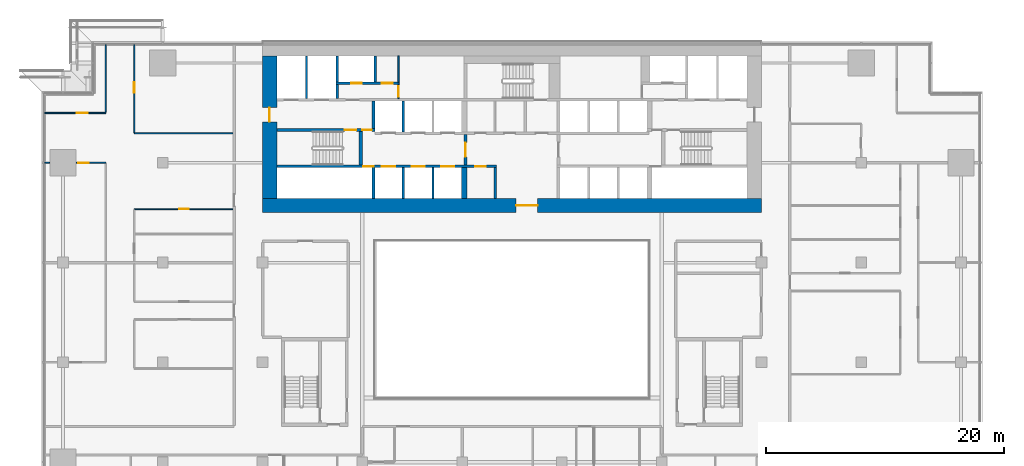
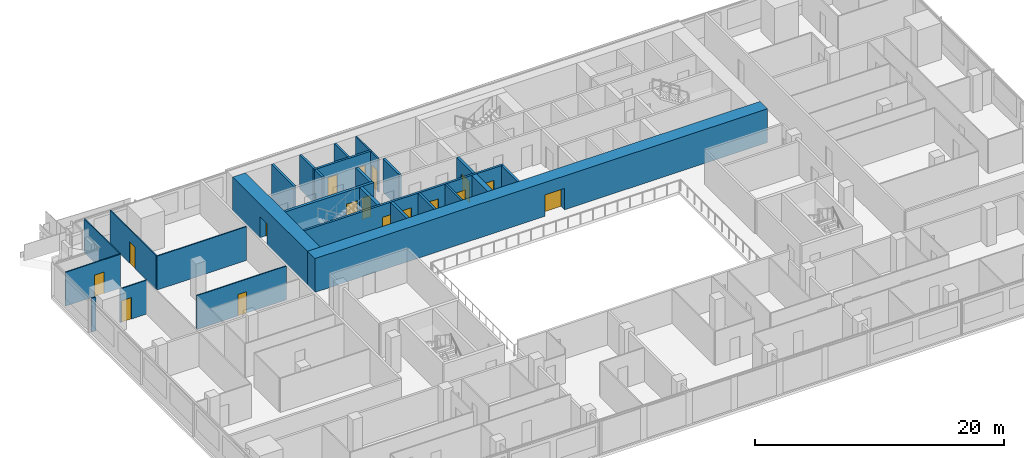
# One storey, part 21 of 30: 27 walls, 17 doors, 17 openings.
"""IFC4 building model written with IfcOpenShell, lengths in metres."""

from ifc_helpers import new_model, si_unit, direction, frame, frame_2d, origin, place, context, subcontext, project, spatial, rectangle, extrude, material, layer, layer_set, type_object, element, fill, save


model = new_model("IFC4")

# Units and contexts
model_context = context("Model", 3, precision=1e-05, world=origin(), true_north=direction((0.0, 1.0)))
body_context = subcontext(model_context, "Body", "Model", "MODEL_VIEW")
ifc_project = project(units=[si_unit("LENGTHUNIT", "METRE"), si_unit("AREAUNIT", "SQUARE_METRE"), si_unit("VOLUMEUNIT", "CUBIC_METRE"), si_unit("PLANEANGLEUNIT", "RADIAN"), si_unit("MASSUNIT", "GRAM", prefix="KILO")], contexts=[model_context])

# Site, building, storey
site_placement = place(None, origin())
site = spatial("IfcSite", under=ifc_project, at=site_placement, CompositionType="ELEMENT")
building_placement = place(site_placement, origin())
building = spatial("IfcBuilding", under=site, at=building_placement, Name="Saffron Gate Tower", CompositionType="ELEMENT")
storey_placement = place(building_placement, frame((0.0, 0.0, 69.60009765625)))
storey = spatial("IfcBuildingStorey", under=building, at=storey_placement, Name="L16", CompositionType="ELEMENT", Elevation=69.60009765625)

# Wall, opening, door
ifc_material_1 = material(Name="Concrete C70", Category="concrete")
ifc_layer_1 = layer(ifc_material_1, 1.199951171875)
ifc_layer_set_1 = layer_set([ifc_layer_1], Name="CW1 RC core wall 1200 C70")
wall_type_1 = type_object("IfcWallType", Name="CW1 RC core wall 1200 C70", PredefinedType="SOLIDWALL", material=ifc_layer_set_1)
wall_1_placement = place(storey_placement, frame((66.60009765625, 61.800048828125, 0.0), z_axis=(0.0, 0.0, 1.0), x_axis=(1.0, 0.0, 0.0)))
wall_1 = element("IfcWall", 1, at=wall_1_placement, inside=storey, type_object=wall_type_1, Name="Wall CW1-L16-1", PredefinedType="SOLIDWALL", context=body_context, shape_type="SweptSolid", body=[
    extrude(rectangle(XDim=42.0, YDim=1.199951171875, at=frame_2d((21.0, 0.0))), origin(), (0.0, 0.0, 1.0), 3.31982421875),
])
opening_1_placement = place(wall_1_placement, frame((21.35009765625, 0.0, 0.0)))
opening_1 = element("IfcOpeningElement", 2, at=opening_1_placement, cuts=wall_1, Name="Opening CR-09", PredefinedType="OPENING", context=body_context, shape_type="SweptSolid", body=[
    extrude(rectangle(XDim=1.800048828125, YDim=2.10009765625, at=frame_2d((0.89990234375, 1.050048828125))), frame((0.0, 0.60986328125, 0.0), z_axis=(0.0, -1.0, 0.0), x_axis=(1.0, 0.0, 0.0)), (0.0, 0.0, 1.0), 1.219970703125),
])
ifc_material_2 = material(Name="Steel fire door set", Category="steel")
door_type_1 = type_object("IfcDoorType", Name="CD1 Core entrance door 1800x2100 EI 120", OperationType="NOTDEFINED", PredefinedType="DOOR", material=ifc_material_2)
door_1_placement = place(opening_1_placement, origin())
door_1 = element("IfcDoor", 3, at=door_1_placement, inside=storey, type_object=door_type_1, Name="DOOR CR-09", OperationType="DOUBLE_DOOR_SINGLE_SWING", OverallHeight=2.10009765625, OverallWidth=1.800048828125, PredefinedType="DOOR", context=body_context, shape_type="SweptSolid", body=[
    extrude(rectangle(XDim=1.800048828125, YDim=2.10009765625, at=frame_2d((0.89990234375, 1.050048828125))), frame((0.0, 0.02490234375, 0.0), z_axis=(0.0, -1.0, 0.0), x_axis=(1.0, 0.0, 0.0)), (0.0, 0.0, 1.0), 0.050048828125),
])
fill(opening_1, door_1)

wall_2_placement = place(storey_placement, frame((67.199951171875, 62.39990234375, 0.0), z_axis=(0.0, 0.0, 1.0), x_axis=(0.0, 1.0, 0.0)))
wall_2 = element("IfcWall", 4, at=wall_2_placement, inside=storey, type_object=wall_type_1, Name="Wall CW1-L16-3", PredefinedType="SOLIDWALL", context=body_context, shape_type="SweptSolid", body=[
    extrude(rectangle(XDim=12.0, YDim=1.199951171875, at=frame_2d((6.0, 0.0))), origin(), (0.0, 0.0, 1.0), 3.31982421875),
])
opening_2_placement = place(wall_2_placement, frame((6.449951171875, 0.0, 0.0)))
opening_2 = element("IfcOpeningElement", 5, at=opening_2_placement, cuts=wall_2, Name="Opening CR-10", PredefinedType="OPENING", context=body_context, shape_type="SweptSolid", body=[
    extrude(rectangle(XDim=1.199951171875, YDim=2.10009765625, at=frame_2d((0.60009765625, 1.050048828125))), frame((0.0, 0.60986328125, 0.0), z_axis=(0.0, -1.0, 0.0), x_axis=(1.0, 0.0, 0.0)), (0.0, 0.0, 1.0), 1.219970703125),
])
door_type_2 = type_object("IfcDoorType", Name="CD7 Core entrance door 1200x2100 EI 120", OperationType="NOTDEFINED", PredefinedType="DOOR", material=ifc_material_2)
door_2_placement = place(opening_2_placement, origin())
door_2 = element("IfcDoor", 6, at=door_2_placement, inside=storey, type_object=door_type_2, Name="DOOR CR-10", OperationType="SINGLE_SWING_LEFT", OverallHeight=2.10009765625, OverallWidth=1.199951171875, PredefinedType="DOOR", context=body_context, shape_type="SweptSolid", body=[
    extrude(rectangle(XDim=1.199951171875, YDim=2.10009765625, at=frame_2d((0.60009765625, 1.050048828125))), frame((0.0, 0.02490234375, 0.0), z_axis=(0.0, -1.0, 0.0), x_axis=(1.0, 0.0, 0.0)), (0.0, 0.0, 1.0), 0.050048828125),
])
fill(opening_2, door_2)

# Walls
ifc_material_3 = material(Name="Gypsum board partition on steel studs", Category="steel")
ifc_layer_2 = layer(ifc_material_3, 0.199951171875)
ifc_layer_set_2 = layer_set([ifc_layer_2], Name="CW10 Core partition 200")
wall_type_2 = type_object("IfcWallType", Name="CW10 Core partition 200", PredefinedType="PARTITIONING", material=ifc_layer_set_2)
wall_3_placement = place(storey_placement, frame((86.199951171875, 62.39990234375, 0.0), z_axis=(0.0, 0.0, 1.0), x_axis=(0.0, 1.0, 0.0)))
element("IfcWall", 7, at=wall_3_placement, inside=storey, type_object=wall_type_2, Name="Wall CW10-L16-9", PredefinedType="PARTITIONING", context=body_context, shape_type="SweptSolid", body=[
    extrude(rectangle(XDim=2.60009765625, YDim=0.199951171875, at=frame_2d((1.300048828125, 0.0))), origin(), (0.0, 0.0, 1.0), 3.31982421875),
])
ifc_layer_3 = layer(ifc_material_1, 0.25)
ifc_layer_set_3 = layer_set([ifc_layer_3], Name="CW2 RC core wall 250 C70")
wall_type_3 = type_object("IfcWallType", Name="CW2 RC core wall 250 C70", PredefinedType="SOLIDWALL", material=ifc_layer_set_3)
wall_4_placement = place(storey_placement, frame((75.925048828125, 62.39990234375, 0.0), z_axis=(0.0, 0.0, 1.0), x_axis=(0.0, 1.0, 0.0)))
element("IfcWall", 8, at=wall_4_placement, inside=storey, type_object=wall_type_3, Name="Wall CW2-L16-5", PredefinedType="SOLIDWALL", context=body_context, shape_type="SweptSolid", body=[
    extrude(rectangle(XDim=2.60009765625, YDim=0.25, at=frame_2d((1.300048828125, 0.0))), origin(), (0.0, 0.0, 1.0), 3.31982421875),
])

# Wall, opening, door
wall_5_placement = place(storey_placement, frame((83.675048828125, 65.199951171875, 0.0), z_axis=(0.0, 0.0, 1.0), x_axis=(0.0, 1.0, 0.0)))
wall_5 = element("IfcWall", 9, at=wall_5_placement, inside=storey, type_object=wall_type_3, Name="Wall CW2-L16-17", PredefinedType="SOLIDWALL", context=body_context, shape_type="SweptSolid", body=[
    extrude(rectangle(XDim=2.60009765625, YDim=0.25, at=frame_2d((1.300048828125, 0.0))), origin(), (0.0, 0.0, 1.0), 3.31982421875),
])
opening_3_placement = place(wall_5_placement, frame((0.699951171875, 0.0, 0.0)))
opening_3 = element("IfcOpeningElement", 10, at=opening_3_placement, cuts=wall_5, Name="Opening CR-07", PredefinedType="OPENING", context=body_context, shape_type="SweptSolid", body=[
    extrude(rectangle(XDim=1.199951171875, YDim=2.10009765625, at=frame_2d((0.60009765625, 1.050048828125))), frame((0.0, 0.135009765625, 0.0), z_axis=(0.0, -1.0, 0.0), x_axis=(1.0, 0.0, 0.0)), (0.0, 0.0, 1.0), 0.27001953125),
])
door_type_3 = type_object("IfcDoorType", Name="CD3 Lobby door 1200x2100 EI 120", OperationType="NOTDEFINED", PredefinedType="DOOR", material=ifc_material_2)
door_3_placement = place(opening_3_placement, origin())
door_3 = element("IfcDoor", 11, at=door_3_placement, inside=storey, type_object=door_type_3, Name="DOOR CR-07", OperationType="SINGLE_SWING_RIGHT", OverallHeight=2.10009765625, OverallWidth=1.199951171875, PredefinedType="DOOR", context=body_context, shape_type="SweptSolid", body=[
    extrude(rectangle(XDim=1.199951171875, YDim=2.10009765625, at=frame_2d((0.60009765625, 1.050048828125))), frame((0.0, 0.02490234375, 0.0), z_axis=(0.0, -1.0, 0.0), x_axis=(1.0, 0.0, 0.0)), (0.0, 0.0, 1.0), 0.050048828125),
])
fill(opening_3, door_3)

# Wall, openings, doors
wall_6_placement = place(storey_placement, frame((67.800048828125, 68.175048828125, 0.0), z_axis=(0.0, 0.0, 1.0), x_axis=(1.0, 0.0, 0.0)))
wall_6 = element("IfcWall", 12, at=wall_6_placement, inside=storey, type_object=wall_type_3, Name="Wall CW2-L16-30", PredefinedType="SOLIDWALL", context=body_context, shape_type="SweptSolid", body=[
    extrude(rectangle(XDim=8.25, YDim=0.25, at=frame_2d((4.125, 0.0))), origin(), (0.0, 0.0, 1.0), 3.31982421875),
])
opening_4_placement = place(wall_6_placement, frame((5.699951171875, 0.0, 0.0)))
opening_4 = element("IfcOpeningElement", 13, at=opening_4_placement, cuts=wall_6, Name="Opening CR-15", PredefinedType="OPENING", context=body_context, shape_type="SweptSolid", body=[
    extrude(rectangle(XDim=1.0, YDim=2.10009765625, at=frame_2d((0.5, 1.050048828125))), frame((0.0, 0.135009765625, 0.0), z_axis=(0.0, -1.0, 0.0), x_axis=(1.0, 0.0, 0.0)), (0.0, 0.0, 1.0), 0.27001953125),
])
opening_5_placement = place(wall_6_placement, frame((7.199951171875, 0.0, 0.0)))
opening_5 = element("IfcOpeningElement", 14, at=opening_5_placement, cuts=wall_6, Name="Opening CR-06", PredefinedType="OPENING", context=body_context, shape_type="SweptSolid", body=[
    extrude(rectangle(XDim=0.800048828125, YDim=2.10009765625, at=frame_2d((0.39990234375, 1.050048828125))), frame((0.0, 0.135009765625, 0.0), z_axis=(0.0, -1.0, 0.0), x_axis=(1.0, 0.0, 0.0)), (0.0, 0.0, 1.0), 0.27001953125),
])
door_type_4 = type_object("IfcDoorType", Name="CD5 Stair door 1000x2100 EI 120", OperationType="NOTDEFINED", PredefinedType="DOOR", material=ifc_material_2)
door_4_placement = place(opening_4_placement, origin())
door_4 = element("IfcDoor", 15, at=door_4_placement, inside=storey, type_object=door_type_4, Name="DOOR CR-15", OperationType="SINGLE_SWING_RIGHT", OverallHeight=2.10009765625, OverallWidth=1.0, PredefinedType="DOOR", context=body_context, shape_type="SweptSolid", body=[
    extrude(rectangle(XDim=1.0, YDim=2.10009765625, at=frame_2d((0.5, 1.050048828125))), frame((0.0, 0.02490234375, 0.0), z_axis=(0.0, -1.0, 0.0), x_axis=(1.0, 0.0, 0.0)), (0.0, 0.0, 1.0), 0.050048828125),
])
fill(opening_4, door_4)
door_type_5 = type_object("IfcDoorType", Name="CD6 Lobby door 800x2100 EI 120", OperationType="NOTDEFINED", PredefinedType="DOOR", material=ifc_material_2)
door_5_placement = place(opening_5_placement, origin())
door_5 = element("IfcDoor", 16, at=door_5_placement, inside=storey, type_object=door_type_5, Name="DOOR CR-06", OperationType="SINGLE_SWING_LEFT", OverallHeight=2.10009765625, OverallWidth=0.800048828125, PredefinedType="DOOR", context=body_context, shape_type="SweptSolid", body=[
    extrude(rectangle(XDim=0.800048828125, YDim=2.10009765625, at=frame_2d((0.39990234375, 1.050048828125))), frame((0.0, 0.02490234375, 0.0), z_axis=(0.0, -1.0, 0.0), x_axis=(1.0, 0.0, 0.0)), (0.0, 0.0, 1.0), 0.050048828125),
])
fill(opening_5, door_5)

# Walls
wall_7_placement = place(storey_placement, frame((75.925048828125, 68.300048828125, 0.0), z_axis=(0.0, 0.0, 1.0), x_axis=(0.0, 1.0, 0.0)))
element("IfcWall", 17, at=wall_7_placement, inside=storey, type_object=wall_type_3, Name="Wall CW2-L16-32", PredefinedType="SOLIDWALL", context=body_context, shape_type="SweptSolid", body=[
    extrude(rectangle(XDim=2.300048828125, YDim=0.25, at=frame_2d((1.14990234375, 0.0))), origin(), (0.0, 0.0, 1.0), 3.31982421875),
])
ifc_layer_4 = layer(ifc_material_1, 0.199951171875)
ifc_layer_set_4 = layer_set([ifc_layer_4], Name="CW3 RC core wall 200 C70")
wall_type_4 = type_object("IfcWallType", Name="CW3 RC core wall 200 C70", PredefinedType="SOLIDWALL", material=ifc_layer_set_4)
for number, where, z_axis, x_axis, name in (
    (18, (78.449951171875, 62.39990234375, 0.0), (0.0, 0.0, 1.0), (0.0, 1.0, 0.0), "Wall CW3-L16-6"),
    (19, (80.949951171875, 62.39990234375, 0.0), (0.0, 0.0, 1.0), (0.0, 1.0, 0.0), "Wall CW3-L16-7"),
):
    element("IfcWall", number, at=place(storey_placement, frame(where, z_axis=z_axis, x_axis=x_axis)), inside=storey, type_object=wall_type_4, Name=name, PredefinedType="SOLIDWALL", context=body_context, shape_type="SweptSolid", body=[
        extrude(rectangle(XDim=2.60009765625, YDim=0.199951171875, at=frame_2d((1.300048828125, 0.0))), origin(), (0.0, 0.0, 1.0), 3.31982421875),
    ])

# Wall, openings, doors
wall_8_placement = place(storey_placement, frame((67.800048828125, 65.10009765625, 0.0), z_axis=(0.0, 0.0, 1.0), x_axis=(1.0, 0.0, 0.0)))
wall_8 = element("IfcWall", 20, at=wall_8_placement, inside=storey, type_object=wall_type_4, Name="Wall CW3-L16-14", PredefinedType="SOLIDWALL", context=body_context, shape_type="SweptSolid", body=[
    extrude(rectangle(XDim=18.5, YDim=0.199951171875, at=frame_2d((9.25, 0.0))), origin(), (0.0, 0.0, 1.0), 3.31982421875),
])
opening_6_placement = place(wall_8_placement, frame((7.27001953125, 0.0, 0.0)))
opening_6 = element("IfcOpeningElement", 21, at=opening_6_placement, cuts=wall_8, Name="Opening CR-49", PredefinedType="OPENING", context=body_context, shape_type="SweptSolid", body=[
    extrude(rectangle(XDim=0.89990234375, YDim=2.10009765625, at=frame_2d((0.449951171875, 1.050048828125))), frame((0.0, 0.10986328125, 0.0), z_axis=(0.0, -1.0, 0.0), x_axis=(1.0, 0.0, 0.0)), (0.0, 0.0, 1.0), 0.219970703125),
])
opening_7_placement = place(wall_8_placement, frame((8.85009765625, 0.0, 0.0)))
opening_7 = element("IfcOpeningElement", 22, at=opening_7_placement, cuts=wall_8, Name="Opening LD-LR1", PredefinedType="OPENING", context=body_context, shape_type="SweptSolid", body=[
    extrude(rectangle(XDim=1.10009765625, YDim=2.10009765625, at=frame_2d((0.550048828125, 1.050048828125))), frame((0.0, 0.10986328125, 0.0), z_axis=(0.0, -1.0, 0.0), x_axis=(1.0, 0.0, 0.0)), (0.0, 0.0, 1.0), 0.219970703125),
])
opening_8_placement = place(wall_8_placement, frame((11.35009765625, 0.0, 0.0)))
opening_8 = element("IfcOpeningElement", 23, at=opening_8_placement, cuts=wall_8, Name="Opening LD-LR2", PredefinedType="OPENING", context=body_context, shape_type="SweptSolid", body=[
    extrude(rectangle(XDim=1.10009765625, YDim=2.10009765625, at=frame_2d((0.550048828125, 1.050048828125))), frame((0.0, 0.10986328125, 0.0), z_axis=(0.0, -1.0, 0.0), x_axis=(1.0, 0.0, 0.0)), (0.0, 0.0, 1.0), 0.219970703125),
])
opening_9_placement = place(wall_8_placement, frame((13.85009765625, 0.0, 0.0)))
opening_9 = element("IfcOpeningElement", 24, at=opening_9_placement, cuts=wall_8, Name="Opening LD-LR3", PredefinedType="OPENING", context=body_context, shape_type="SweptSolid", body=[
    extrude(rectangle(XDim=1.10009765625, YDim=2.10009765625, at=frame_2d((0.550048828125, 1.050048828125))), frame((0.0, 0.10986328125, 0.0), z_axis=(0.0, -1.0, 0.0), x_axis=(1.0, 0.0, 0.0)), (0.0, 0.0, 1.0), 0.219970703125),
])
opening_10_placement = place(wall_8_placement, frame((16.699951171875, 0.0, 0.0)))
opening_10 = element("IfcOpeningElement", 25, at=opening_10_placement, cuts=wall_8, Name="Opening CR-69", PredefinedType="OPENING", context=body_context, shape_type="SweptSolid", body=[
    extrude(rectangle(XDim=0.89990234375, YDim=2.10009765625, at=frame_2d((0.449951171875, 1.050048828125))), frame((0.0, 0.10986328125, 0.0), z_axis=(0.0, -1.0, 0.0), x_axis=(1.0, 0.0, 0.0)), (0.0, 0.0, 1.0), 0.219970703125),
])
door_type_6 = type_object("IfcDoorType", Name="CD2 Riser door 900x2100 EI 60", OperationType="NOTDEFINED", PredefinedType="DOOR", material=ifc_material_2)
door_6_placement = place(opening_6_placement, origin())
door_6 = element("IfcDoor", 26, at=door_6_placement, inside=storey, type_object=door_type_6, Name="DOOR CR-49", OperationType="SINGLE_SWING_LEFT", OverallHeight=2.10009765625, OverallWidth=0.89990234375, PredefinedType="DOOR", context=body_context, shape_type="SweptSolid", body=[
    extrude(rectangle(XDim=0.89990234375, YDim=2.10009765625, at=frame_2d((0.449951171875, 1.050048828125))), frame((0.0, 0.02490234375, 0.0), z_axis=(0.0, -1.0, 0.0), x_axis=(1.0, 0.0, 0.0)), (0.0, 0.0, 1.0), 0.050048828125),
])
fill(opening_6, door_6)
door_type_7 = type_object("IfcDoorType", Name="CD9 Room door 900x2100 EI 60", OperationType="NOTDEFINED", PredefinedType="DOOR", material=ifc_material_2)
door_7_placement = place(opening_10_placement, origin())
door_7 = element("IfcDoor", 27, at=door_7_placement, inside=storey, type_object=door_type_7, Name="DOOR CR-69", OperationType="SINGLE_SWING_RIGHT", OverallHeight=2.10009765625, OverallWidth=0.89990234375, PredefinedType="DOOR", context=body_context, shape_type="SweptSolid", body=[
    extrude(rectangle(XDim=0.89990234375, YDim=2.10009765625, at=frame_2d((0.449951171875, 1.050048828125))), frame((0.0, 0.02490234375, 0.0), z_axis=(0.0, -1.0, 0.0), x_axis=(1.0, 0.0, 0.0)), (0.0, 0.0, 1.0), 0.050048828125),
])
fill(opening_10, door_7)
ifc_material_4 = material(Name="Stainless steel landing door", Category="steel")
door_type_8 = type_object("IfcDoorType", Name="LD Lift landing door 1100x2100 EI 120", OperationType="SLIDING_TO_LEFT", PredefinedType="DOOR", material=ifc_material_4)
door_8_placement = place(opening_7_placement, origin())
door_8 = element("IfcDoor", 28, at=door_8_placement, inside=storey, type_object=door_type_8, Name="LANDING DOOR LD-LR1", OperationType="SLIDING_TO_LEFT", OverallHeight=2.10009765625, OverallWidth=1.10009765625, PredefinedType="DOOR", context=body_context, shape_type="SweptSolid", body=[
    extrude(rectangle(XDim=1.10009765625, YDim=2.10009765625, at=frame_2d((0.550048828125, 1.050048828125))), frame((0.0, 0.02490234375, 0.0), z_axis=(0.0, -1.0, 0.0), x_axis=(1.0, 0.0, 0.0)), (0.0, 0.0, 1.0), 0.050048828125),
])
fill(opening_7, door_8)
door_9_placement = place(opening_8_placement, origin())
door_9 = element("IfcDoor", 29, at=door_9_placement, inside=storey, type_object=door_type_8, Name="LANDING DOOR LD-LR2", OperationType="SLIDING_TO_LEFT", OverallHeight=2.10009765625, OverallWidth=1.10009765625, PredefinedType="DOOR", context=body_context, shape_type="SweptSolid", body=[
    extrude(rectangle(XDim=1.10009765625, YDim=2.10009765625, at=frame_2d((0.550048828125, 1.050048828125))), frame((0.0, 0.02490234375, 0.0), z_axis=(0.0, -1.0, 0.0), x_axis=(1.0, 0.0, 0.0)), (0.0, 0.0, 1.0), 0.050048828125),
])
fill(opening_8, door_9)
door_10_placement = place(opening_9_placement, origin())
door_10 = element("IfcDoor", 30, at=door_10_placement, inside=storey, type_object=door_type_8, Name="LANDING DOOR LD-LR3", OperationType="SLIDING_TO_LEFT", OverallHeight=2.10009765625, OverallWidth=1.10009765625, PredefinedType="DOOR", context=body_context, shape_type="SweptSolid", body=[
    extrude(rectangle(XDim=1.10009765625, YDim=2.10009765625, at=frame_2d((0.550048828125, 1.050048828125))), frame((0.0, 0.02490234375, 0.0), z_axis=(0.0, -1.0, 0.0), x_axis=(1.0, 0.0, 0.0)), (0.0, 0.0, 1.0), 0.050048828125),
])
fill(opening_9, door_10)

# Walls
wall_9_placement = place(storey_placement, frame((78.449951171875, 68.0, 0.0), z_axis=(0.0, 0.0, 1.0), x_axis=(0.0, 1.0, 0.0)))
element("IfcWall", 31, at=wall_9_placement, inside=storey, type_object=wall_type_4, Name="Wall CW3-L16-21", PredefinedType="SOLIDWALL", context=body_context, shape_type="SweptSolid", body=[
    extrude(rectangle(XDim=2.60009765625, YDim=0.199951171875, at=frame_2d((1.300048828125, 0.0))), origin(), (0.0, 0.0, 1.0), 3.31982421875),
])
wall_10_placement = place(storey_placement, frame((70.300048828125, 70.800048828125, 0.0), z_axis=(0.0, 0.0, 1.0), x_axis=(0.0, 1.0, 0.0)))
element("IfcWall", 32, at=wall_10_placement, inside=storey, type_object=wall_type_4, Name="Wall CW3-L16-35", PredefinedType="SOLIDWALL", context=body_context, shape_type="SweptSolid", body=[
    extrude(rectangle(XDim=3.599853515625, YDim=0.199951171875, at=frame_2d((1.7998046875, 0.0))), origin(), (0.0, 0.0, 1.0), 3.31982421875),
])
wall_11_placement = place(storey_placement, frame((72.89990234375, 70.800048828125, 0.0), z_axis=(0.0, 0.0, 1.0), x_axis=(0.0, 1.0, 0.0)))
element("IfcWall", 33, at=wall_11_placement, inside=storey, type_object=wall_type_4, Name="Wall CW3-L16-36", PredefinedType="SOLIDWALL", context=body_context, shape_type="SweptSolid", body=[
    extrude(rectangle(XDim=1.199951171875, YDim=0.199951171875, at=frame_2d((0.60009765625, 0.0))), origin(), (0.0, 0.0, 1.0), 3.31982421875),
])

# Wall, openings, doors
wall_12_placement = place(storey_placement, frame((72.800048828125, 72.10009765625, 0.0), z_axis=(0.0, 0.0, 1.0), x_axis=(1.0, 0.0, 0.0)))
wall_12 = element("IfcWall", 34, at=wall_12_placement, inside=storey, type_object=wall_type_4, Name="Wall CW3-L16-43", PredefinedType="SOLIDWALL", context=body_context, shape_type="SweptSolid", body=[
    extrude(rectangle(XDim=5.320068359375, YDim=0.199951171875, at=frame_2d((2.66015625, 0.0))), origin(), (0.0, 0.0, 1.0), 3.31982421875),
])
opening_11_placement = place(wall_12_placement, frame((1.25, 0.0, 0.0)))
opening_11 = element("IfcOpeningElement", 35, at=opening_11_placement, cuts=wall_12, Name="Opening CR-71", PredefinedType="OPENING", context=body_context, shape_type="SweptSolid", body=[
    extrude(rectangle(XDim=0.89990234375, YDim=2.10009765625, at=frame_2d((0.449951171875, 1.050048828125))), frame((0.0, 0.10986328125, 0.0), z_axis=(0.0, -1.0, 0.0), x_axis=(1.0, 0.0, 0.0)), (0.0, 0.0, 1.0), 0.219970703125),
])
opening_12_placement = place(wall_12_placement, frame((3.85009765625, 0.0, 0.0)))
opening_12 = element("IfcOpeningElement", 36, at=opening_12_placement, cuts=wall_12, Name="Opening CR-55", PredefinedType="OPENING", context=body_context, shape_type="SweptSolid", body=[
    extrude(rectangle(XDim=0.89990234375, YDim=2.10009765625, at=frame_2d((0.449951171875, 1.050048828125))), frame((0.0, 0.10986328125, 0.0), z_axis=(0.0, -1.0, 0.0), x_axis=(1.0, 0.0, 0.0)), (0.0, 0.0, 1.0), 0.219970703125),
])
door_11_placement = place(opening_11_placement, origin())
door_11 = element("IfcDoor", 37, at=door_11_placement, inside=storey, type_object=door_type_6, Name="DOOR CR-71", OperationType="SINGLE_SWING_LEFT", OverallHeight=2.10009765625, OverallWidth=0.89990234375, PredefinedType="DOOR", context=body_context, shape_type="SweptSolid", body=[
    extrude(rectangle(XDim=0.89990234375, YDim=2.10009765625, at=frame_2d((0.449951171875, 1.050048828125))), frame((0.0, 0.02490234375, 0.0), z_axis=(0.0, -1.0, 0.0), x_axis=(1.0, 0.0, 0.0)), (0.0, 0.0, 1.0), 0.050048828125),
])
fill(opening_11, door_11)
door_12_placement = place(opening_12_placement, origin())
door_12 = element("IfcDoor", 38, at=door_12_placement, inside=storey, type_object=door_type_7, Name="DOOR CR-55", OperationType="SINGLE_SWING_LEFT", OverallHeight=2.10009765625, OverallWidth=0.89990234375, PredefinedType="DOOR", context=body_context, shape_type="SweptSolid", body=[
    extrude(rectangle(XDim=0.89990234375, YDim=2.10009765625, at=frame_2d((0.449951171875, 1.050048828125))), frame((0.0, 0.02490234375, 0.0), z_axis=(0.0, -1.0, 0.0), x_axis=(1.0, 0.0, 0.0)), (0.0, 0.0, 1.0), 0.050048828125),
])
fill(opening_12, door_12)

# Walls
for number, where, z_axis, x_axis, name in (
    (39, (72.89990234375, 72.199951171875, 0.0), (0.0, 0.0, 1.0), (0.0, 1.0, 0.0), "Wall CW3-L16-45"),
    (40, (76.10009765625, 72.199951171875, 0.0), (0.0, 0.0, 1.0), (0.0, 1.0, 0.0), "Wall CW3-L16-46"),
):
    element("IfcWall", number, at=place(storey_placement, frame(where, z_axis=z_axis, x_axis=x_axis)), inside=storey, type_object=wall_type_4, Name=name, PredefinedType="SOLIDWALL", context=body_context, shape_type="SweptSolid", body=[
        extrude(rectangle(XDim=2.199951171875, YDim=0.199951171875, at=frame_2d((1.10009765625, 0.0))), origin(), (0.0, 0.0, 1.0), 3.31982421875),
    ])
ifc_layer_5 = layer(ifc_material_1, 0.449951171875)
ifc_layer_set_5 = layer_set([ifc_layer_5], Name="CW4 RC core wall 450 C70")
wall_type_5 = type_object("IfcWallType", Name="CW4 RC core wall 450 C70", PredefinedType="SOLIDWALL", material=ifc_layer_set_5)
wall_13_placement = place(storey_placement, frame((83.574951171875, 62.39990234375, 0.0), z_axis=(0.0, 0.0, 1.0), x_axis=(0.0, 1.0, 0.0)))
element("IfcWall", 41, at=wall_13_placement, inside=storey, type_object=wall_type_5, Name="Wall CW4-L16-8", PredefinedType="SOLIDWALL", context=body_context, shape_type="SweptSolid", body=[
    extrude(rectangle(XDim=2.60009765625, YDim=0.449951171875, at=frame_2d((1.300048828125, 0.0))), origin(), (0.0, 0.0, 1.0), 3.31982421875),
])
ifc_layer_6 = layer(ifc_material_1, 0.300048828125)
ifc_layer_set_6 = layer_set([ifc_layer_6], Name="CW5 RC core wall 300 C70")
wall_type_6 = type_object("IfcWallType", Name="CW5 RC core wall 300 C70", PredefinedType="SOLIDWALL", material=ifc_layer_set_6)
wall_14_placement = place(storey_placement, frame((74.85009765625, 65.199951171875, 0.0), z_axis=(0.0, 0.0, 1.0), x_axis=(0.0, 1.0, 0.0)))
element("IfcWall", 42, at=wall_14_placement, inside=storey, type_object=wall_type_6, Name="Wall CW5-L16-16", PredefinedType="SOLIDWALL", context=body_context, shape_type="SweptSolid", body=[
    extrude(rectangle(XDim=2.85009765625, YDim=0.300048828125, at=frame_2d((1.425048828125, 0.0))), origin(), (0.0, 0.0, 1.0), 3.31982421875),
])

# Wall, opening, door
ifc_layer_7 = layer(ifc_material_3, 0.1201171875)
ifc_layer_set_7 = layer_set([ifc_layer_7], Name="CW8 Core partition 120")
wall_type_7 = type_object("IfcWallType", Name="CW8 Core partition 120", PredefinedType="PARTITIONING", material=ifc_layer_set_7)
wall_15_placement = place(storey_placement, frame((78.06005859375, 70.800048828125, 0.0), z_axis=(0.0, 0.0, 1.0), x_axis=(0.0, 1.0, 0.0)))
wall_15 = element("IfcWall", 43, at=wall_15_placement, inside=storey, type_object=wall_type_7, Name="Wall CW8-L16-37", PredefinedType="PARTITIONING", context=body_context, shape_type="SweptSolid", body=[
    extrude(rectangle(XDim=1.199951171875, YDim=0.1201171875, at=frame_2d((0.60009765625, 0.0))), origin(), (0.0, 0.0, 1.0), 3.31982421875),
])
opening_13_placement = place(wall_15_placement, frame((0.14990234375, 0.0, 0.0)))
opening_13 = element("IfcOpeningElement", 44, at=opening_13_placement, cuts=wall_15, Name="Opening CR-60", PredefinedType="OPENING", context=body_context, shape_type="SweptSolid", body=[
    extrude(rectangle(XDim=0.89990234375, YDim=2.10009765625, at=frame_2d((0.449951171875, 1.050048828125))), frame((0.0, 0.070068359375, 0.0), z_axis=(0.0, -1.0, 0.0), x_axis=(1.0, 0.0, 0.0)), (0.0, 0.0, 1.0), 0.14013671875),
])
door_13_placement = place(opening_13_placement, origin())
door_13 = element("IfcDoor", 45, at=door_13_placement, inside=storey, type_object=door_type_7, Name="DOOR CR-60", OperationType="SINGLE_SWING_RIGHT", OverallHeight=2.10009765625, OverallWidth=0.89990234375, PredefinedType="DOOR", context=body_context, shape_type="SweptSolid", body=[
    extrude(rectangle(XDim=0.89990234375, YDim=2.10009765625, at=frame_2d((0.449951171875, 1.050048828125))), frame((0.0, 0.02490234375, 0.0), z_axis=(0.0, -1.0, 0.0), x_axis=(1.0, 0.0, 0.0)), (0.0, 0.0, 1.0), 0.050048828125),
])
fill(opening_13, door_13)

# Wall
wall_16_placement = place(storey_placement, frame((78.06005859375, 72.199951171875, 0.0), z_axis=(0.0, 0.0, 1.0), x_axis=(0.0, 1.0, 0.0)))
element("IfcWall", 46, at=wall_16_placement, inside=storey, type_object=wall_type_7, Name="Wall CW8-L16-47", PredefinedType="PARTITIONING", context=body_context, shape_type="SweptSolid", body=[
    extrude(rectangle(XDim=2.199951171875, YDim=0.1201171875, at=frame_2d((1.10009765625, 0.0))), origin(), (0.0, 0.0, 1.0), 3.31982421875),
])

# Wall, opening, door
ifc_material_5 = material(Name="Plasterboard on steel studs", Category="steel")
ifc_layer_8 = layer(ifc_material_5, 0.10009765625)
ifc_layer_set_8 = layer_set([ifc_layer_8], Name="PW1 Partition 100")
wall_type_8 = type_object("IfcWallType", Name="PW1 Partition 100", PredefinedType="PARTITIONING", material=ifc_layer_set_8)
wall_17_placement = place(storey_placement, frame((64.10009765625, 61.5, 0.0), z_axis=(0.0, 0.0, 1.0), x_axis=(-1.0, 0.0, 0.0)))
wall_17 = element("IfcWall", 47, at=wall_17_placement, inside=storey, type_object=wall_type_8, Name="Partition A4-39", PredefinedType="PARTITIONING", context=body_context, shape_type="SweptSolid", body=[
    extrude(rectangle(XDim=8.300048828125, YDim=0.10009765625, at=frame_2d((4.14990234375, 0.0))), origin(), (0.0, 0.0, 1.0), 3.31982421875),
])
opening_14_placement = place(wall_17_placement, frame((3.699951171875, 0.0, 0.0)))
opening_14 = element("IfcOpeningElement", 48, at=opening_14_placement, cuts=wall_17, Name="Opening A4-42", PredefinedType="OPENING", context=body_context, shape_type="SweptSolid", body=[
    extrude(rectangle(XDim=0.800048828125, YDim=2.10009765625, at=frame_2d((0.39990234375, 1.050048828125))), frame((0.0, 0.06005859375, 0.0), z_axis=(0.0, -1.0, 0.0), x_axis=(1.0, 0.0, 0.0)), (0.0, 0.0, 1.0), 0.1201171875),
])
ifc_material_6 = material(Name="Timber door set", Category="wood")
door_type_9 = type_object("IfcDoorType", Name="RD2 Bathroom door 800x2100", OperationType="NOTDEFINED", PredefinedType="DOOR", material=ifc_material_6)
door_14_placement = place(opening_14_placement, origin())
door_14 = element("IfcDoor", 49, at=door_14_placement, inside=storey, type_object=door_type_9, Name="Door A4-42", OperationType="SINGLE_SWING_LEFT", OverallHeight=2.10009765625, OverallWidth=0.800048828125, PredefinedType="DOOR", context=body_context, shape_type="SweptSolid", body=[
    extrude(rectangle(XDim=0.800048828125, YDim=2.10009765625, at=frame_2d((0.39990234375, 1.050048828125))), frame((0.0, 0.02490234375, 0.0), z_axis=(0.0, -1.0, 0.0), x_axis=(1.0, 0.0, 0.0)), (0.0, 0.0, 1.0), 0.050048828125),
])
fill(opening_14, door_14)

# Wall
wall_18_placement = place(storey_placement, frame((48.280029296875, 65.39990234375, 0.0), z_axis=(0.0, 0.0, 1.0), x_axis=(1.0, 0.0, 0.0)))
element("IfcWall", 50, at=wall_18_placement, inside=storey, type_object=wall_type_8, Name="Partition A4-44", PredefinedType="PARTITIONING", context=body_context, shape_type="SweptSolid", body=[
    extrude(rectangle(XDim=0.39990234375, YDim=0.10009765625, at=frame_2d((0.199951171875, 0.0))), origin(), (0.0, 0.0, 1.0), 3.31982421875),
])

# Wall, opening, door
wall_19_placement = place(storey_placement, frame((53.39990234375, 65.39990234375, 0.0), z_axis=(0.0, 0.0, 1.0), x_axis=(-1.0, 0.0, 0.0)))
wall_19 = element("IfcWall", 51, at=wall_19_placement, inside=storey, type_object=wall_type_8, Name="Partition A4-45", PredefinedType="PARTITIONING", context=body_context, shape_type="SweptSolid", body=[
    extrude(rectangle(XDim=2.47998046875, YDim=0.10009765625, at=frame_2d((1.239990234375, 0.0))), origin(), (0.0, 0.0, 1.0), 3.31982421875),
])
opening_15_placement = place(wall_19_placement, frame((1.429931640625, 0.0, 0.0)))
opening_15 = element("IfcOpeningElement", 52, at=opening_15_placement, cuts=wall_19, Name="Opening A4-25", PredefinedType="OPENING", context=body_context, shape_type="SweptSolid", body=[
    extrude(rectangle(XDim=0.89990234375, YDim=2.10009765625, at=frame_2d((0.449951171875, 1.050048828125))), frame((0.0, 0.06005859375, 0.0), z_axis=(0.0, -1.0, 0.0), x_axis=(1.0, 0.0, 0.0)), (0.0, 0.0, 1.0), 0.1201171875),
])
door_type_10 = type_object("IfcDoorType", Name="RD1 Room door 900x2100", OperationType="NOTDEFINED", PredefinedType="DOOR", material=ifc_material_6)
door_15_placement = place(opening_15_placement, origin())
door_15 = element("IfcDoor", 53, at=door_15_placement, inside=storey, type_object=door_type_10, Name="Door A4-25", OperationType="SINGLE_SWING_RIGHT", OverallHeight=2.10009765625, OverallWidth=0.89990234375, PredefinedType="DOOR", context=body_context, shape_type="SweptSolid", body=[
    extrude(rectangle(XDim=0.89990234375, YDim=2.10009765625, at=frame_2d((0.449951171875, 1.050048828125))), frame((0.0, 0.02490234375, 0.0), z_axis=(0.0, -1.0, 0.0), x_axis=(1.0, 0.0, 0.0)), (0.0, 0.0, 1.0), 0.050048828125),
])
fill(opening_15, door_15)

# Wall
wall_20_placement = place(storey_placement, frame((55.800048828125, 67.881103515625, 0.0), z_axis=(0.0, 0.0, 1.0), x_axis=(1.0, 0.0, 0.0)))
element("IfcWall", 54, at=wall_20_placement, inside=storey, type_object=wall_type_8, Name="Partition A4-46", PredefinedType="PARTITIONING", context=body_context, shape_type="SweptSolid", body=[
    extrude(rectangle(XDim=8.300048828125, YDim=0.10009765625, at=frame_2d((4.14990234375, 0.0))), origin(), (0.0, 0.0, 1.0), 3.31982421875),
])

# Wall, opening, door
wall_21_placement = place(storey_placement, frame((48.280029296875, 69.60009765625, 0.0), z_axis=(0.0, 0.0, 1.0), x_axis=(1.0, 0.0, 0.0)))
wall_21 = element("IfcWall", 55, at=wall_21_placement, inside=storey, type_object=wall_type_8, Name="Partition A4-48", PredefinedType="PARTITIONING", context=body_context, shape_type="SweptSolid", body=[
    extrude(rectangle(XDim=5.119873046875, YDim=0.10009765625, at=frame_2d((2.56005859375, 0.0))), origin(), (0.0, 0.0, 1.0), 3.31982421875),
])
opening_16_placement = place(wall_21_placement, frame((2.68701171875, 0.0, 0.0)))
opening_16 = element("IfcOpeningElement", 56, at=opening_16_placement, cuts=wall_21, Name="Opening A4-26", PredefinedType="OPENING", context=body_context, shape_type="SweptSolid", body=[
    extrude(rectangle(XDim=0.89990234375, YDim=2.10009765625, at=frame_2d((0.449951171875, 1.050048828125))), frame((0.0, 0.06005859375, 0.0), z_axis=(0.0, -1.0, 0.0), x_axis=(1.0, 0.0, 0.0)), (0.0, 0.0, 1.0), 0.1201171875),
])
door_16_placement = place(opening_16_placement, origin())
door_16 = element("IfcDoor", 57, at=door_16_placement, inside=storey, type_object=door_type_10, Name="Door A4-26", OperationType="SINGLE_SWING_RIGHT", OverallHeight=2.10009765625, OverallWidth=0.89990234375, PredefinedType="DOOR", context=body_context, shape_type="SweptSolid", body=[
    extrude(rectangle(XDim=0.89990234375, YDim=2.10009765625, at=frame_2d((0.449951171875, 1.050048828125))), frame((0.0, 0.02490234375, 0.0), z_axis=(0.0, -1.0, 0.0), x_axis=(1.0, 0.0, 0.0)), (0.0, 0.0, 1.0), 0.050048828125),
])
fill(opening_16, door_16)

# Wall
wall_22_placement = place(storey_placement, frame((53.39990234375, 75.320068359375, 0.0), z_axis=(0.0, 0.0, 1.0), x_axis=(0.0, -1.0, 0.0)))
element("IfcWall", 58, at=wall_22_placement, inside=storey, type_object=wall_type_8, Name="Partition A4-50", PredefinedType="PARTITIONING", context=body_context, shape_type="SweptSolid", body=[
    extrude(rectangle(XDim=5.670166015625, YDim=0.10009765625, at=frame_2d((2.8349609375, 0.0))), origin(), (0.0, 0.0, 1.0), 3.31982421875),
])

# Wall, opening, door
wall_23_placement = place(storey_placement, frame((55.800048828125, 75.320068359375, 0.0), z_axis=(0.0, 0.0, 1.0), x_axis=(0.0, -1.0, 0.0)))
wall_23 = element("IfcWall", 59, at=wall_23_placement, inside=storey, type_object=wall_type_8, Name="Partition A4-54", PredefinedType="PARTITIONING", context=body_context, shape_type="SweptSolid", body=[
    extrude(rectangle(XDim=7.38916015625, YDim=0.10009765625, at=frame_2d((3.694580078125, 0.0))), origin(), (0.0, 0.0, 1.0), 3.31982421875),
])
opening_17_placement = place(wall_23_placement, frame((3.12939453125, 0.0, 0.0)))
opening_17 = element("IfcOpeningElement", 60, at=opening_17_placement, cuts=wall_23, Name="Opening A4-27", PredefinedType="OPENING", context=body_context, shape_type="SweptSolid", body=[
    extrude(rectangle(XDim=0.89990234375, YDim=2.10009765625, at=frame_2d((0.449951171875, 1.050048828125))), frame((0.0, 0.06005859375, 0.0), z_axis=(0.0, -1.0, 0.0), x_axis=(1.0, 0.0, 0.0)), (0.0, 0.0, 1.0), 0.1201171875),
])
door_17_placement = place(opening_17_placement, origin())
door_17 = element("IfcDoor", 61, at=door_17_placement, inside=storey, type_object=door_type_10, Name="Door A4-27", OperationType="SINGLE_SWING_LEFT", OverallHeight=2.10009765625, OverallWidth=0.89990234375, PredefinedType="DOOR", context=body_context, shape_type="SweptSolid", body=[
    extrude(rectangle(XDim=0.89990234375, YDim=2.10009765625, at=frame_2d((0.449951171875, 1.050048828125))), frame((0.0, 0.02490234375, 0.0), z_axis=(0.0, -1.0, 0.0), x_axis=(1.0, 0.0, 0.0)), (0.0, 0.0, 1.0), 0.050048828125),
])
fill(opening_17, door_17)

save(model, "model.ifc")
